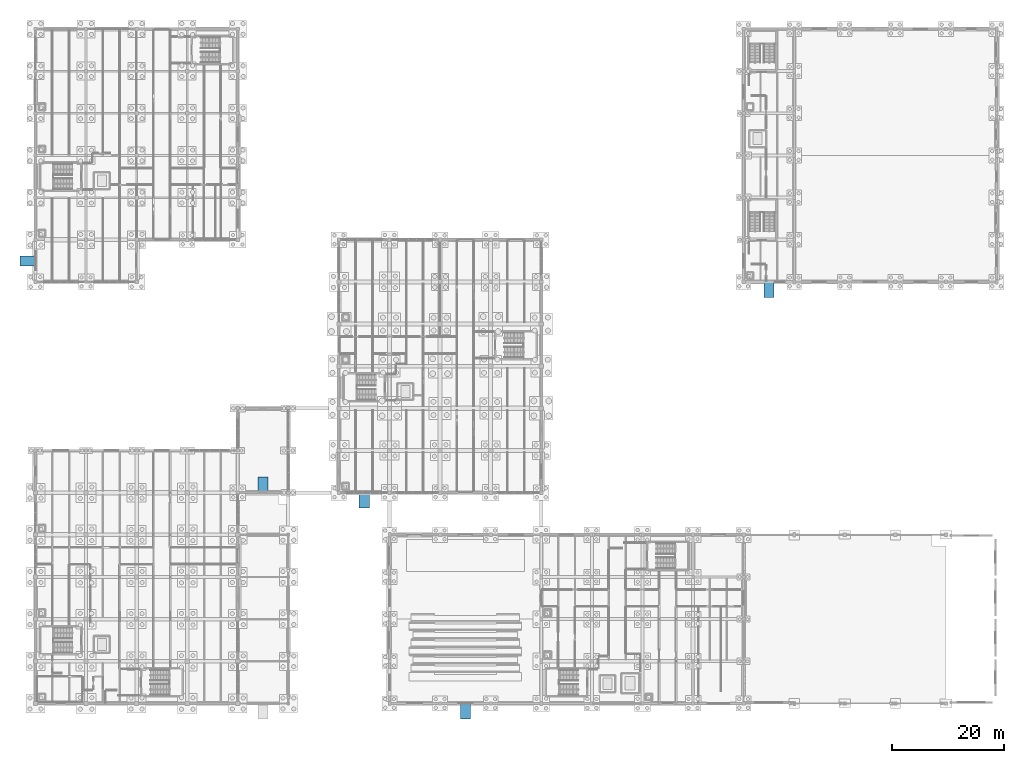
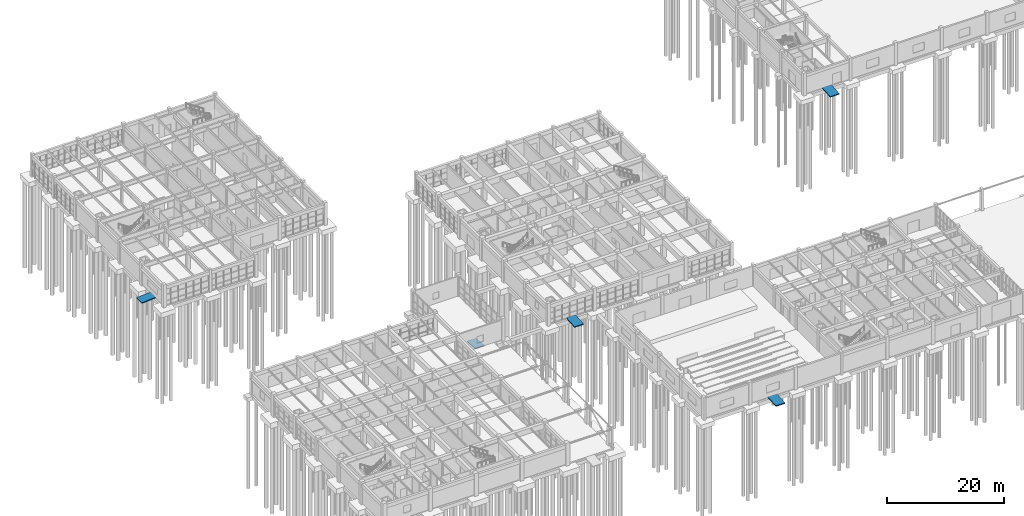
# One storey, part 90 of 93: 5 ramp flights, 5 elements without a shape of their own.
"""IFC4 building model written with IfcOpenShell, lengths in metres."""

from ifc_helpers import new_model, si_unit, direction, frame, origin, place, context, subcontext, project, spatial, polyline, outline, extrude, material, layer, layer_set, type_object, element, aggregate, save


model = new_model("IFC4")

# Units and contexts
model_context = context("Model", 3, precision=1e-05, world=origin(), true_north=direction((0.0, 1.0)))
body_context = subcontext(model_context, "Body", "Model", "MODEL_VIEW")
ifc_project = project(units=[si_unit("LENGTHUNIT", "METRE"), si_unit("AREAUNIT", "SQUARE_METRE"), si_unit("VOLUMEUNIT", "CUBIC_METRE"), si_unit("PLANEANGLEUNIT", "RADIAN"), si_unit("MASSUNIT", "GRAM", prefix="KILO")], contexts=[model_context])

# Site, building, storey
site_placement = place(None, origin())
site = spatial("IfcSite", under=ifc_project, at=site_placement, CompositionType="ELEMENT")
building_placement = place(site_placement, origin())
building = spatial("IfcBuilding", under=site, at=building_placement, Name="Marnridge Secondary College", CompositionType="ELEMENT")
storey_placement = place(building_placement, origin())
storey = spatial("IfcBuildingStorey", under=building, at=storey_placement, Name="L00", CompositionType="ELEMENT", Elevation=0.0)

# Ramp, ramp flight
ifc_material_1 = material(Name="Concrete C40/50 (AS 3600 N40, 40 MPa)", Category="concrete")
ramp_type = type_object("IfcRampType", Name="RMP-ACC-1800", PredefinedType="STRAIGHT_RUN_RAMP", material=ifc_material_1)
ramp_1_placement = place(storey_placement, origin())
ramp_1 = element("IfcRamp", 1, at=ramp_1_placement, inside=storey, type_object=ramp_type, Name="Accessible entry ramp RMP-02", PredefinedType="STRAIGHT_RUN_RAMP")
ifc_material_2 = material(Name="Concrete C40/50 (AS 3600 N40, 40 MPa)", Category="concrete")
ifc_layer = layer(ifc_material_2, 0.199951171875)
ifc_layer_set = layer_set([ifc_layer], Name="RMF-ACC-1800")
ramp_flight_type = type_object("IfcRampFlightType", Name="RMF-ACC-1800", PredefinedType="STRAIGHT", material=ifc_layer_set)
ramp_flight_1_placement = place(storey_placement, frame((41.39990234375, 40.25, -0.199951171875), z_axis=(0.0, 0.071228508128, 0.997460024076), x_axis=(-1.0, 0.0, 0.0)))
ramp_flight_1 = element("IfcRampFlight", 2, at=ramp_flight_1_placement, type_object=ramp_flight_type, Name="Accessible ramp flight RMP-02-F1", PredefinedType="STRAIGHT", context=body_context, shape_type="SweptSolid", body=[
    extrude(outline(polyline([(0.0, 0.0), (1.7998046875, 0.0), (1.7998046875, 2.807178995186871), (0.0, 2.807178995186871), (0.0, 0.0)])), origin(), (0.0, 0.0, -1.0), 0.199951171875),
])
aggregate(ramp_1, [ramp_flight_1])

ramp_2_placement = place(storey_placement, origin())
ramp_2 = element("IfcRamp", 3, at=ramp_2_placement, inside=storey, type_object=ramp_type, Name="Accessible entry ramp RMP-03", PredefinedType="STRAIGHT_RUN_RAMP")
ramp_flight_2_placement = place(storey_placement, frame((57.60009765625, 34.75, -0.199951171875), z_axis=(0.0, -0.071228508128, 0.997460024076), x_axis=(1.0, 0.0, 0.0)))
ramp_flight_2 = element("IfcRampFlight", 4, at=ramp_flight_2_placement, type_object=ramp_flight_type, Name="Accessible ramp flight RMP-03-F1", PredefinedType="STRAIGHT", context=body_context, shape_type="SweptSolid", body=[
    extrude(outline(polyline([(0.0, 0.0), (1.7998046875, 0.0), (1.7998046875, 2.807178995186871), (0.0, 2.807178995186871), (0.0, 0.0)])), origin(), (0.0, 0.0, -1.0), 0.199951171875),
])
aggregate(ramp_2, [ramp_flight_2])

ramp_3_placement = place(storey_placement, origin())
ramp_3 = element("IfcRamp", 5, at=ramp_3_placement, inside=storey, type_object=ramp_type, Name="Accessible entry ramp RMP-04", PredefinedType="STRAIGHT_RUN_RAMP")
ramp_flight_3_placement = place(storey_placement, frame((75.60009765625, -2.75, -0.199951171875), z_axis=(0.0, -0.071228508128, 0.997460024076), x_axis=(1.0, 0.0, 0.0)))
ramp_flight_3 = element("IfcRampFlight", 6, at=ramp_flight_3_placement, type_object=ramp_flight_type, Name="Accessible ramp flight RMP-04-F1", PredefinedType="STRAIGHT", context=body_context, shape_type="SweptSolid", body=[
    extrude(outline(polyline([(0.0, 0.0), (1.7998046875, 0.0), (1.7998046875, 2.807178995186871), (0.0, 2.807178995186871), (0.0, 0.0)])), origin(), (0.0, 0.0, -1.0), 0.199951171875),
])
aggregate(ramp_3, [ramp_flight_3])

ramp_4_placement = place(storey_placement, origin())
ramp_4 = element("IfcRamp", 7, at=ramp_4_placement, inside=storey, type_object=ramp_type, Name="Accessible entry ramp RMP-05", PredefinedType="STRAIGHT_RUN_RAMP")
ramp_flight_4_placement = place(storey_placement, frame((129.60009765625, 72.25, -0.199951171875), z_axis=(0.0, -0.071228508128, 0.997460024076), x_axis=(1.0, 0.0, 0.0)))
ramp_flight_4 = element("IfcRampFlight", 8, at=ramp_flight_4_placement, type_object=ramp_flight_type, Name="Accessible ramp flight RMP-05-F1", PredefinedType="STRAIGHT", context=body_context, shape_type="SweptSolid", body=[
    extrude(outline(polyline([(0.0, 0.0), (1.7998046875, 0.0), (1.7998046875, 2.807178995186871), (0.0, 2.807178995186871), (0.0, 0.0)])), origin(), (0.0, 0.0, -1.0), 0.199951171875),
])
aggregate(ramp_4, [ramp_flight_4])

ramp_5_placement = place(storey_placement, origin())
ramp_5 = element("IfcRamp", 9, at=ramp_5_placement, inside=storey, type_object=ramp_type, Name="Accessible entry ramp RMP-06", PredefinedType="STRAIGHT_RUN_RAMP")
ramp_flight_5_placement = place(storey_placement, frame((-2.75, 79.64990234375, -0.199951171875), z_axis=(-0.071228508128, 0.0, 0.997460024076), x_axis=(0.0, -1.0, 0.0)))
ramp_flight_5 = element("IfcRampFlight", 10, at=ramp_flight_5_placement, type_object=ramp_flight_type, Name="Accessible ramp flight RMP-06-F1", PredefinedType="STRAIGHT", context=body_context, shape_type="SweptSolid", body=[
    extrude(outline(polyline([(0.0, 0.0), (1.7998046875, 0.0), (1.7998046875, 2.807178995186871), (0.0, 2.807178995186871), (0.0, 0.0)])), origin(), (0.0, 0.0, -1.0), 0.199951171875),
])
aggregate(ramp_5, [ramp_flight_5])

save(model, "model.ifc")
